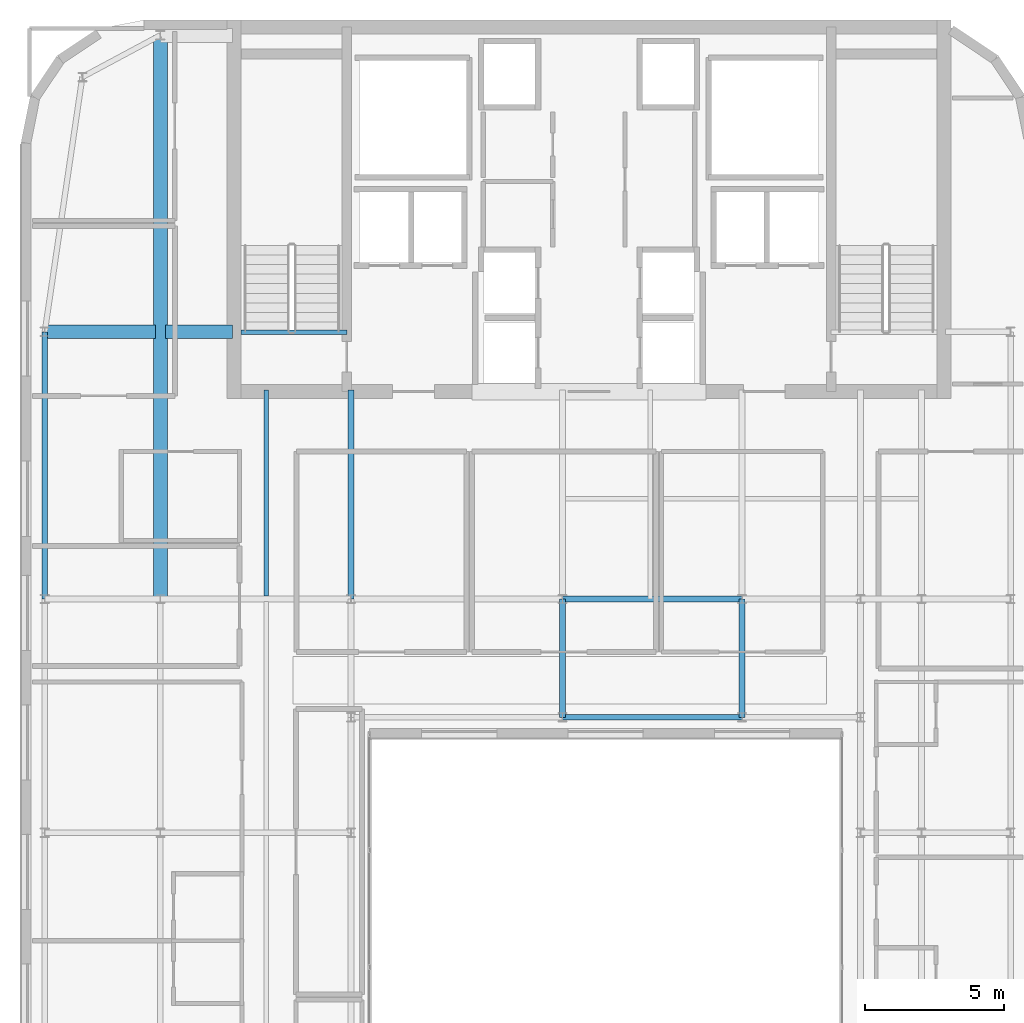
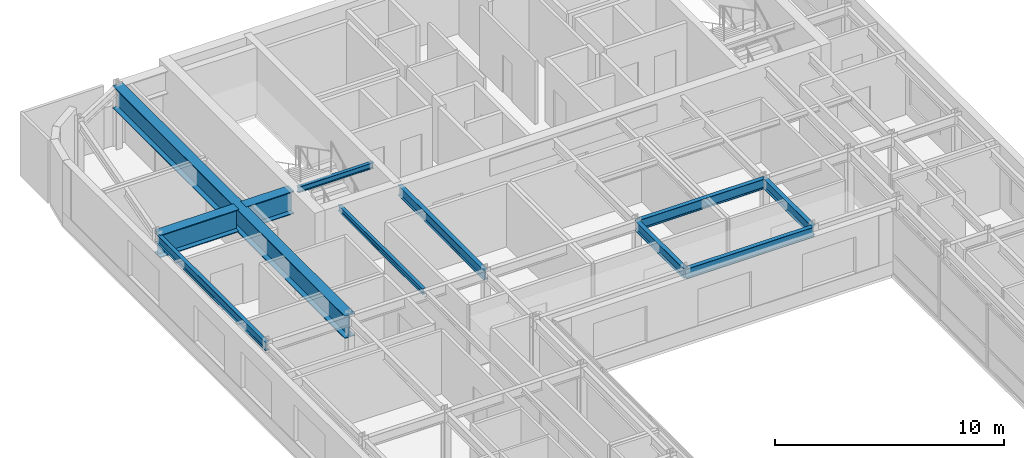
# One storey, part 10 of 21: 11 beams.
"""IFC4 building model written with IfcOpenShell, lengths in metres."""

from ifc_helpers import new_model, si_unit, direction, frame, origin, origin_2d, place, context, subcontext, project, spatial, i_section, extrude, source, transform, mapped, material, material_profile, profile_set, type_object, type_shapes, element, save


model = new_model("IFC4")

# Units and contexts
model_context = context("Model", 3, precision=1e-05, world=origin(), true_north=direction((0.0, 1.0)))
body_context = subcontext(model_context, "Body", "Model", "MODEL_VIEW")
ifc_project = project(units=[si_unit("LENGTHUNIT", "METRE"), si_unit("AREAUNIT", "SQUARE_METRE"), si_unit("VOLUMEUNIT", "CUBIC_METRE"), si_unit("PLANEANGLEUNIT", "RADIAN"), si_unit("MASSUNIT", "GRAM", prefix="KILO")], contexts=[model_context])

# Site, building, storey
site_placement = place(None, origin())
site = spatial("IfcSite", under=ifc_project, at=site_placement, CompositionType="ELEMENT")
building_placement = place(site_placement, origin())
building = spatial("IfcBuilding", under=site, at=building_placement, Name="Tolvann Quenvar Hotel", CompositionType="ELEMENT")
storey_placement = place(building_placement, frame((0.0, 0.0, 255.85009765625)))
storey = spatial("IfcBuildingStorey", under=building, at=storey_placement, Name="L68", CompositionType="ELEMENT", Elevation=255.85009765625)

# Beams
ifc_material = material(Name="Steel Grade 350", Category="steel")
ifc_material_profile_1 = material_profile(ifc_material, i_section(OverallWidth=0.5, OverallDepth=1.199951171875, WebThickness=0.01611328125, FlangeThickness=0.0400390625, at=origin_2d()), Name="1200WB455")
ifc_profile_set_1 = profile_set([ifc_material_profile_1], Name="Steel Grade 350")
beam_type_1 = type_object("IfcBeamType", Name="BM_TG_1200WB455", PredefinedType="USERDEFINED", material=ifc_profile_set_1)
shared_shape_1 = source(origin(), body_context, "Body", "SweptSolid", [
    extrude(i_section(OverallWidth=0.5, OverallDepth=1.199951171875, WebThickness=0.01611328125, FlangeThickness=0.0400390625, at=origin_2d()), origin(), (0.0, 0.0, 1.0), 2.419921875),
])
beam_1_placement = place(storey_placement, frame((7.780029296875, 34.0, 2.77001953125), z_axis=(1.0, 0.0, 0.0), x_axis=(0.0, 1.0, 0.0)))
element("IfcBeam", 1, at=beam_1_placement, inside=storey, type_object=beam_type_1, Name="BM-L68-CTW-MID2", ObjectType="TRANSFER GIRDER", PredefinedType="USERDEFINED", context=body_context, shape_type="MappedRepresentation", body=[
    mapped(shared_shape_1, transform((0.0, 0.0, 0.0), x_axis=(1.0, 0.0, 0.0), y_axis=(0.0, 1.0, 0.0), z_axis=(0.0, 0.0, 1.0), scale=1.0)),
])
ifc_material_profile_2 = material_profile(ifc_material, i_section(OverallWidth=0.166015625, OverallDepth=0.306884765625, WebThickness=0.006591796875, FlangeThickness=0.01171875, FilletRadius=0.011474609375, at=origin_2d()), Name="310UB46")
ifc_profile_set_2 = profile_set([ifc_material_profile_2], Name="Steel Grade 350")
beam_type_2 = type_object("IfcBeamType", Name="BM_JOIST_310UB46", PredefinedType="JOIST", material=ifc_profile_set_2)
shared_shape_2 = source(origin(), body_context, "Body", "SweptSolid", [
    extrude(i_section(OverallWidth=0.166015625, OverallDepth=0.306884765625, WebThickness=0.006591796875, FlangeThickness=0.01171875, FilletRadius=0.011474609375, at=origin_2d()), origin(), (0.0, 0.0, 1.0), 3.800048828125),
])
beam_2_placement = place(storey_placement, frame((10.5, 33.97998046875, 3.21630859375), z_axis=(1.0, 0.0, 0.0), x_axis=(0.0, 1.0, 0.0)))
element("IfcBeam", 2, at=beam_2_placement, inside=storey, type_object=beam_type_2, Name="BM-HDR-STC1-L69", PredefinedType="JOIST", context=body_context, shape_type="MappedRepresentation", body=[
    mapped(shared_shape_2, transform((0.0, 0.0, 0.0), x_axis=(1.0, 0.0, 0.0), y_axis=(0.0, 1.0, 0.0), z_axis=(0.0, 0.0, 1.0), scale=1.0)),
])
shared_shape_3 = source(origin(), body_context, "Body", "SweptSolid", [
    extrude(i_section(OverallWidth=0.5, OverallDepth=1.199951171875, WebThickness=0.01611328125, FlangeThickness=0.0400390625, at=origin_2d()), origin(), (0.0, 0.0, 1.0), 3.969970703125),
])
beam_3_placement = place(storey_placement, frame((3.449951171875, 34.0, 2.77001953125), z_axis=(1.0, 0.0, 0.0), x_axis=(0.0, 1.0, 0.0)))
element("IfcBeam", 3, at=beam_3_placement, inside=storey, type_object=beam_type_1, Name="BM-L68-CTW-MID1", ObjectType="TRANSFER GIRDER", PredefinedType="USERDEFINED", context=body_context, shape_type="MappedRepresentation", body=[
    mapped(shared_shape_3, transform((0.0, 0.0, 0.0), x_axis=(1.0, 0.0, 0.0), y_axis=(0.0, 1.0, 0.0), z_axis=(0.0, 0.0, 1.0), scale=1.0)),
])
ifc_material_profile_3 = material_profile(ifc_material, i_section(OverallWidth=0.19091796875, OverallDepth=0.4599609375, WebThickness=0.010009765625, FlangeThickness=0.01611328125, FilletRadius=0.011474609375, at=origin_2d()), Name="460UB82")
ifc_profile_set_3 = profile_set([ifc_material_profile_3], Name="Steel Grade 350")
beam_type_3 = type_object("IfcBeamType", Name="BM_SPAND_460UB82", PredefinedType="SPANDREL", material=ifc_profile_set_3)
shared_shape_4 = source(origin(), body_context, "Body", "SweptSolid", [
    extrude(i_section(OverallWidth=0.19091796875, OverallDepth=0.4599609375, WebThickness=0.010009765625, FlangeThickness=0.01611328125, FilletRadius=0.011474609375, at=origin_2d()), origin(), (0.0, 0.0, 1.0), 9.60009765625),
])
type_shapes(beam_type_3, [shared_shape_4])
beam_4_placement = place(storey_placement, frame((3.449951171875, 24.39990234375, 3.139892578125), z_axis=(0.0, 1.0, 0.0), x_axis=(-1.0, 0.0, 0.0)))
element("IfcBeam", 4, at=beam_4_placement, inside=storey, type_object=beam_type_3, Name="BM-L68-FLK-W1", PredefinedType="SPANDREL", context=body_context, shape_type="MappedRepresentation", body=[
    mapped(shared_shape_4, transform((0.0, 0.0, 0.0), x_axis=(1.0, 0.0, 0.0), y_axis=(0.0, 1.0, 0.0), z_axis=(0.0, 0.0, 1.0), scale=1.0)),
])
shared_shape_5 = source(origin(), body_context, "Body", "SweptSolid", [
    extrude(i_section(OverallWidth=0.5, OverallDepth=1.199951171875, WebThickness=0.01611328125, FlangeThickness=0.0400390625, at=origin_2d()), origin(), (0.0, 0.0, 1.0), 20.25),
])
type_shapes(beam_type_1, [shared_shape_1, shared_shape_3, shared_shape_5])
beam_5_placement = place(storey_placement, frame((7.60009765625, 24.39990234375, 2.77001953125), z_axis=(0.0, 1.0, 0.0), x_axis=(-1.0, 0.0, 0.0)))
element("IfcBeam", 5, at=beam_5_placement, inside=storey, type_object=beam_type_1, Name="BM-L68-FLK-WC", ObjectType="TRANSFER GIRDER", PredefinedType="USERDEFINED", context=body_context, shape_type="MappedRepresentation", body=[
    mapped(shared_shape_5, transform((0.0, 0.0, 0.0), x_axis=(1.0, 0.0, 0.0), y_axis=(0.0, 1.0, 0.0), z_axis=(0.0, 0.0, 1.0), scale=1.0)),
])
ifc_material_profile_4 = material_profile(ifc_material, i_section(OverallWidth=0.208984375, OverallDepth=0.532958984375, WebThickness=0.01025390625, FlangeThickness=0.015625, FilletRadius=0.013916015625, at=origin_2d()), Name="530UB92")
ifc_profile_set_4 = profile_set([ifc_material_profile_4], Name="Steel Grade 350")
beam_type_4 = type_object("IfcBeamType", Name="BM_GIRD_530UB92", PredefinedType="BEAM", material=ifc_profile_set_4)
shared_shape_6 = source(origin(), body_context, "Body", "SweptSolid", [
    extrude(i_section(OverallWidth=0.208984375, OverallDepth=0.532958984375, WebThickness=0.01025390625, FlangeThickness=0.015625, FilletRadius=0.013916015625, at=origin_2d()), origin(), (0.0, 0.0, 1.0), 6.449951171875),
])
for number, where, z_axis, x_axis, name in (
    (6, (22.050048828125, 20.14990234375, 3.103515625), (1.0, 0.0, 0.0), (0.0, 1.0, 0.0), "BM-L68-EW-4P-E4P-M4P"),
    (7, (22.050048828125, 24.39990234375, 3.103515625), (1.0, 0.0, 0.0), (0.0, 1.0, 0.0), "BM-L68-EW-5-E5-M5"),
):
    element("IfcBeam", number, at=place(storey_placement, frame(where, z_axis=z_axis, x_axis=x_axis)), inside=storey, type_object=beam_type_4, Name=name, PredefinedType="BEAM", context=body_context, shape_type="MappedRepresentation", body=[
        mapped(shared_shape_6, transform((0.0, 0.0, 0.0), x_axis=(1.0, 0.0, 0.0), y_axis=(0.0, 1.0, 0.0), z_axis=(0.0, 0.0, 1.0), scale=1.0)),
    ])
shared_shape_7 = source(origin(), body_context, "Body", "SweptSolid", [
    extrude(i_section(OverallWidth=0.208984375, OverallDepth=0.532958984375, WebThickness=0.01025390625, FlangeThickness=0.015625, FilletRadius=0.013916015625, at=origin_2d()), origin(), (0.0, 0.0, 1.0), 4.25),
])
for number, where, z_axis, x_axis, name in (
    (8, (22.050048828125, 20.14990234375, 3.103515625), (0.0, 1.0, 0.0), (-1.0, 0.0, 0.0), "BM-L68-NS-E4P-E5"),
    (9, (28.5, 20.14990234375, 3.103515625), (0.0, 1.0, 0.0), (-1.0, 0.0, 0.0), "BM-L68-NS-M4P-M5"),
):
    element("IfcBeam", number, at=place(storey_placement, frame(where, z_axis=z_axis, x_axis=x_axis)), inside=storey, type_object=beam_type_4, Name=name, PredefinedType="BEAM", context=body_context, shape_type="MappedRepresentation", body=[
        mapped(shared_shape_7, transform((0.0, 0.0, 0.0), x_axis=(1.0, 0.0, 0.0), y_axis=(0.0, 1.0, 0.0), z_axis=(0.0, 0.0, 1.0), scale=1.0)),
    ])
shared_shape_8 = source(origin(), body_context, "Body", "SweptSolid", [
    extrude(i_section(OverallWidth=0.208984375, OverallDepth=0.532958984375, WebThickness=0.01025390625, FlangeThickness=0.015625, FilletRadius=0.013916015625, at=origin_2d()), origin(), (0.0, 0.0, 1.0), 7.5),
])
type_shapes(beam_type_4, [shared_shape_6, shared_shape_7, shared_shape_8])
beam_6_placement = place(storey_placement, frame((14.449951171875, 24.39990234375, 3.103515625), z_axis=(0.0, 1.0, 0.0), x_axis=(-1.0, 0.0, 0.0)))
element("IfcBeam", 10, at=beam_6_placement, inside=storey, type_object=beam_type_4, Name="BM-L68-CORE-D5", PredefinedType="BEAM", context=body_context, shape_type="MappedRepresentation", body=[
    mapped(shared_shape_8, transform((0.0, 0.0, 0.0), x_axis=(1.0, 0.0, 0.0), y_axis=(0.0, 1.0, 0.0), z_axis=(0.0, 0.0, 1.0), scale=1.0)),
])
shared_shape_9 = source(origin(), body_context, "Body", "SweptSolid", [
    extrude(i_section(OverallWidth=0.166015625, OverallDepth=0.306884765625, WebThickness=0.006591796875, FlangeThickness=0.01171875, FilletRadius=0.011474609375, at=origin_2d()), origin(), (0.0, 0.0, 1.0), 7.4013671875),
])
type_shapes(beam_type_2, [shared_shape_2, shared_shape_9])
beam_7_placement = place(storey_placement, frame((11.39990234375, 24.49853515625, 3.21630859375), z_axis=(0.0, 1.0, 0.0), x_axis=(-1.0, 0.0, 0.0)))
element("IfcBeam", 11, at=beam_7_placement, inside=storey, type_object=beam_type_2, Name="BJ-L68-114-244", PredefinedType="JOIST", context=body_context, shape_type="MappedRepresentation", body=[
    mapped(shared_shape_9, transform((0.0, 0.0, 0.0), x_axis=(1.0, 0.0, 0.0), y_axis=(0.0, 1.0, 0.0), z_axis=(0.0, 0.0, 1.0), scale=1.0)),
])

save(model, "model.ifc")
